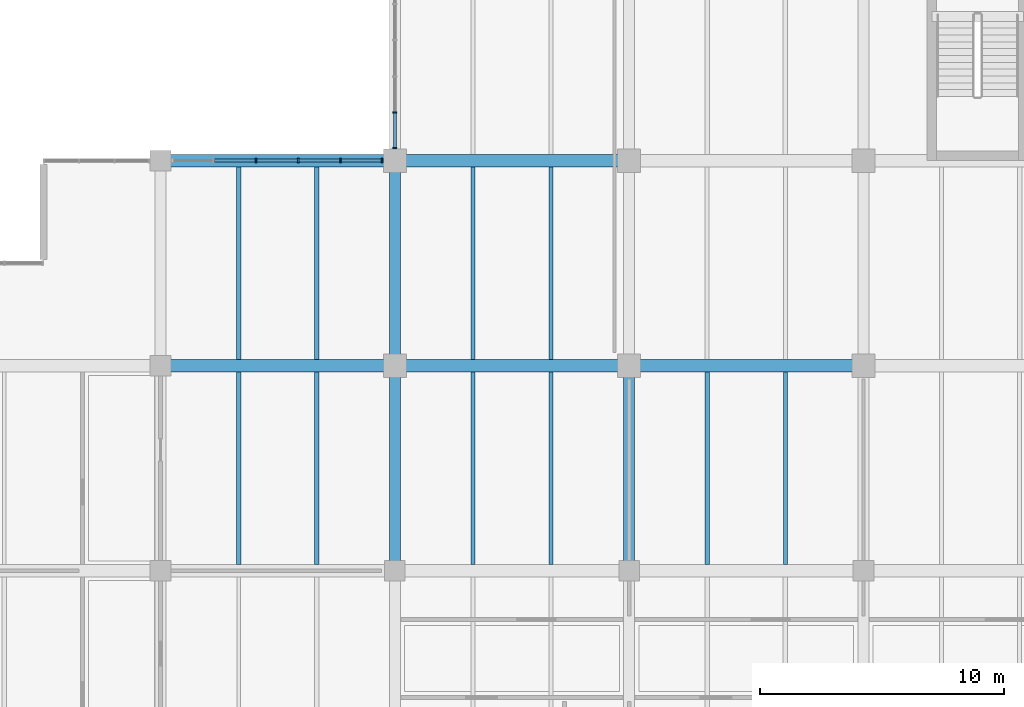
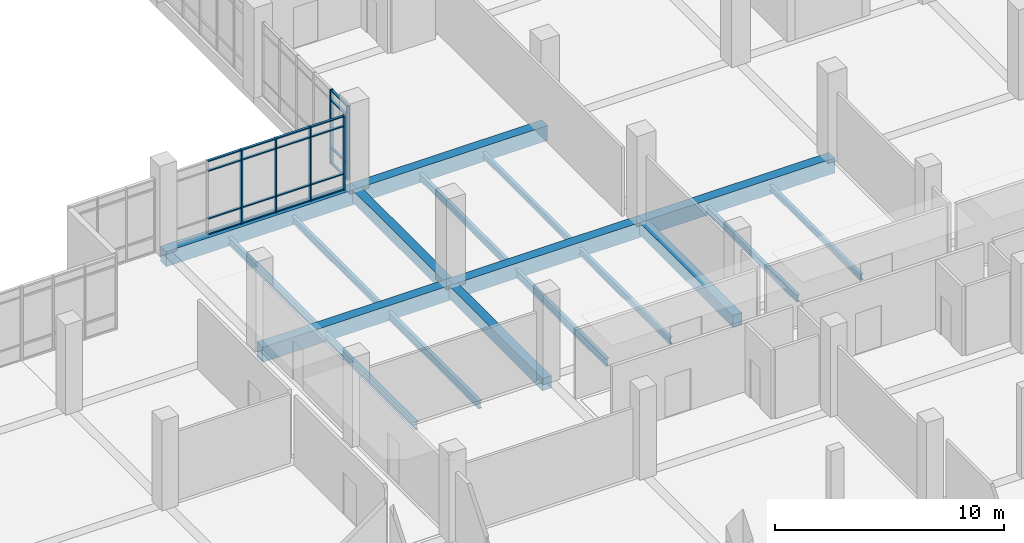
# One storey, part 68 of 152: 26 members, 18 beams, 2 elements without a shape of their own.
"""IFC4 building model written with IfcOpenShell, lengths in metres."""

from ifc_helpers import new_model, si_unit, direction, frame, origin, origin_2d, place, context, subcontext, project, spatial, rectangle, i_section, extrude, material, material_profile, profile_set, type_object, element, aggregate, save


model = new_model("IFC4")

# Units and contexts
model_context = context("Model", 3, precision=1e-05, world=origin(), true_north=direction((0.0, 1.0)))
body_context = subcontext(model_context, "Body", "Model", "MODEL_VIEW")
ifc_project = project(units=[si_unit("LENGTHUNIT", "METRE"), si_unit("AREAUNIT", "SQUARE_METRE"), si_unit("VOLUMEUNIT", "CUBIC_METRE"), si_unit("PLANEANGLEUNIT", "RADIAN"), si_unit("MASSUNIT", "GRAM", prefix="KILO")], contexts=[model_context])

# Site, building, storey
site_placement = place(None, origin())
site = spatial("IfcSite", under=ifc_project, at=site_placement, CompositionType="ELEMENT")
building_placement = place(site_placement, origin())
building = spatial("IfcBuilding", under=site, at=building_placement, Name="Oolite Switchyard Hospital", CompositionType="ELEMENT")
storey_placement = place(building_placement, frame((0.0, 0.0, 5.10009765625)))
storey = spatial("IfcBuildingStorey", under=building, at=storey_placement, Name="L01", CompositionType="ELEMENT", Elevation=5.10009765625)

# Beams
ifc_material_1 = material(Name="Concrete C40/50", Category="concrete")
ifc_material_profile_1 = material_profile(ifc_material_1, rectangle(XDim=0.449951171875, YDim=0.64990234375, at=origin_2d()), Name="RCB450X650")
ifc_profile_set_1 = profile_set([ifc_material_profile_1], Name="Concrete C40/50")
beam_type_1 = type_object("IfcBeamType", Name="BM-RC450X650", PredefinedType="BEAM", material=ifc_profile_set_1)
beam_1_placement = place(storey_placement, frame((134.39990234375, 92.39990234375, -0.3251953125), z_axis=(0.0, 1.0, 0.0), x_axis=(-1.0, 0.0, 0.0)))
element("IfcBeam", 1, at=beam_1_placement, inside=storey, type_object=beam_type_1, Name="L01 Y-Girder 454", PredefinedType="BEAM", context=body_context, shape_type="SweptSolid", body=[
    extrude(rectangle(XDim=0.449951171875, YDim=0.64990234375, at=origin_2d()), origin(), (0.0, 0.0, 1.0), 8.400146484375),
])
beam_2_placement = place(storey_placement, frame((134.39990234375, 100.800048828125, -0.3251953125), z_axis=(0.0, 1.0, 0.0), x_axis=(-1.0, 0.0, 0.0)))
element("IfcBeam", 2, at=beam_2_placement, inside=storey, type_object=beam_type_1, Name="L01 Y-Girder 455", PredefinedType="BEAM", context=body_context, shape_type="SweptSolid", body=[
    extrude(rectangle(XDim=0.449951171875, YDim=0.64990234375, at=origin_2d()), origin(), (0.0, 0.0, 1.0), 8.39990234375),
])
beam_3_placement = place(storey_placement, frame((144.0, 92.39990234375, -0.3251953125), z_axis=(0.0, 1.0, 0.0), x_axis=(-1.0, 0.0, 0.0)))
element("IfcBeam", 3, at=beam_3_placement, inside=storey, type_object=beam_type_1, Name="L01 Y-Girder 469", PredefinedType="BEAM", context=body_context, shape_type="SweptSolid", body=[
    extrude(rectangle(XDim=0.449951171875, YDim=0.64990234375, at=origin_2d()), origin(), (0.0, 0.0, 1.0), 8.400146484375),
])
ifc_material_profile_2 = material_profile(ifc_material_1, rectangle(XDim=0.5, YDim=0.800048828125, at=origin_2d()), Name="RCB500X800")
ifc_profile_set_2 = profile_set([ifc_material_profile_2], Name="Concrete C40/50")
beam_type_2 = type_object("IfcBeamType", Name="BM-RC500X800", PredefinedType="BEAM", material=ifc_profile_set_2)
beam_4_placement = place(storey_placement, frame((124.800048828125, 100.800048828125, -0.400146484375), z_axis=(1.0, 0.0, 0.0), x_axis=(0.0, 1.0, 0.0)))
element("IfcBeam", 4, at=beam_4_placement, inside=storey, type_object=beam_type_2, Name="L01 X-Girder 210", PredefinedType="BEAM", context=body_context, shape_type="SweptSolid", body=[
    extrude(rectangle(XDim=0.5, YDim=0.800048828125, at=origin_2d()), origin(), (0.0, 0.0, 1.0), 9.599853515625),
])
for number, where, z_axis, x_axis, name in (
    (5, (134.39990234375, 100.800048828125, -0.400146484375), (1.0, 0.0, 0.0), (0.0, 1.0, 0.0), "L01 X-Girder 211"),
    (6, (144.0, 100.800048828125, -0.400146484375), (1.0, 0.0, 0.0), (0.0, 1.0, 0.0), "L01 X-Girder 212"),
):
    element("IfcBeam", number, at=place(storey_placement, frame(where, z_axis=z_axis, x_axis=x_axis)), inside=storey, type_object=beam_type_2, Name=name, PredefinedType="BEAM", context=body_context, shape_type="SweptSolid", body=[
        extrude(rectangle(XDim=0.5, YDim=0.800048828125, at=origin_2d()), origin(), (0.0, 0.0, 1.0), 9.60009765625),
    ])
beam_5_placement = place(storey_placement, frame((124.800048828125, 109.199951171875, -0.400146484375), z_axis=(1.0, 0.0, 0.0), x_axis=(0.0, 1.0, 0.0)))
element("IfcBeam", 7, at=beam_5_placement, inside=storey, type_object=beam_type_2, Name="L01 X-Girder 230", PredefinedType="BEAM", context=body_context, shape_type="SweptSolid", body=[
    extrude(rectangle(XDim=0.5, YDim=0.800048828125, at=origin_2d()), origin(), (0.0, 0.0, 1.0), 9.599853515625),
])
beam_6_placement = place(storey_placement, frame((134.39990234375, 109.199951171875, -0.400146484375), z_axis=(1.0, 0.0, 0.0), x_axis=(0.0, 1.0, 0.0)))
element("IfcBeam", 8, at=beam_6_placement, inside=storey, type_object=beam_type_2, Name="L01 X-Girder 231", PredefinedType="BEAM", context=body_context, shape_type="SweptSolid", body=[
    extrude(rectangle(XDim=0.5, YDim=0.800048828125, at=origin_2d()), origin(), (0.0, 0.0, 1.0), 9.60009765625),
])
ifc_material_2 = material(Name="Steel ASTM A992 Grade 50", Category="steel")
ifc_material_profile_3 = material_profile(ifc_material_2, i_section(OverallWidth=0.1650390625, OverallDepth=0.31005859375, WebThickness=0.006103515625, FlangeThickness=0.010009765625, at=origin_2d()), Name="W12X26")
ifc_profile_set_3 = profile_set([ifc_material_profile_3], Name="Steel ASTM A992 Grade 50")
beam_type_3 = type_object("IfcBeamType", Name="BM-W12X26", PredefinedType="JOIST", material=ifc_profile_set_3)
beam_7_placement = place(storey_placement, frame((140.800048828125, 101.050048828125, -0.43017578125), z_axis=(0.0, 1.0, 0.0), x_axis=(-1.0, 0.0, 0.0)))
element("IfcBeam", 9, at=beam_7_placement, inside=storey, type_object=beam_type_3, Name="L01 Secondary Steel Joist 845", PredefinedType="JOIST", context=body_context, shape_type="SweptSolid", body=[
    extrude(i_section(OverallWidth=0.1650390625, OverallDepth=0.31005859375, WebThickness=0.006103515625, FlangeThickness=0.010009765625, at=origin_2d()), origin(), (0.0, 0.0, 1.0), 7.89990234375),
])
beam_8_placement = place(storey_placement, frame((150.39990234375, 92.64990234375, -0.43017578125), z_axis=(0.0, 1.0, 0.0), x_axis=(-1.0, 0.0, 0.0)))
element("IfcBeam", 10, at=beam_8_placement, inside=storey, type_object=beam_type_3, Name="L01 Secondary Steel Joist 863", PredefinedType="JOIST", context=body_context, shape_type="SweptSolid", body=[
    extrude(i_section(OverallWidth=0.1650390625, OverallDepth=0.31005859375, WebThickness=0.006103515625, FlangeThickness=0.010009765625, at=origin_2d()), origin(), (0.0, 0.0, 1.0), 7.900146484375),
])
ifc_material_profile_4 = material_profile(ifc_material_2, i_section(OverallWidth=0.1708984375, OverallDepth=0.35107421875, WebThickness=0.007080078125, FlangeThickness=0.010009765625, at=origin_2d()), Name="W14X30")
ifc_profile_set_4 = profile_set([ifc_material_profile_4], Name="Steel ASTM A992 Grade 50")
beam_type_4 = type_object("IfcBeamType", Name="BM-W14X30", PredefinedType="JOIST", material=ifc_profile_set_4)
beam_9_placement = place(storey_placement, frame((131.199951171875, 101.050048828125, -0.47607421875), z_axis=(0.0, 1.0, 0.0), x_axis=(-1.0, 0.0, 0.0)))
element("IfcBeam", 11, at=beam_9_placement, inside=storey, type_object=beam_type_4, Name="L01 Secondary Steel Joist 821", PredefinedType="JOIST", context=body_context, shape_type="SweptSolid", body=[
    extrude(i_section(OverallWidth=0.1708984375, OverallDepth=0.35107421875, WebThickness=0.007080078125, FlangeThickness=0.010009765625, at=origin_2d()), origin(), (0.0, 0.0, 1.0), 7.89990234375),
])
beam_10_placement = place(storey_placement, frame((140.800048828125, 92.64990234375, -0.4501953125), z_axis=(0.0, 1.0, 0.0), x_axis=(-1.0, 0.0, 0.0)))
element("IfcBeam", 12, at=beam_10_placement, inside=storey, type_object=beam_type_4, Name="L01 Secondary Steel Joist 843", PredefinedType="JOIST", context=body_context, shape_type="SweptSolid", body=[
    extrude(i_section(OverallWidth=0.1708984375, OverallDepth=0.35107421875, WebThickness=0.007080078125, FlangeThickness=0.010009765625, at=origin_2d()), origin(), (0.0, 0.0, 1.0), 7.900146484375),
])
beam_11_placement = place(storey_placement, frame((137.60009765625, 101.050048828125, -0.4501953125), z_axis=(0.0, 1.0, 0.0), x_axis=(-1.0, 0.0, 0.0)))
element("IfcBeam", 13, at=beam_11_placement, inside=storey, type_object=beam_type_4, Name="L01 Secondary Steel Joist 844", PredefinedType="JOIST", context=body_context, shape_type="SweptSolid", body=[
    extrude(i_section(OverallWidth=0.1708984375, OverallDepth=0.35107421875, WebThickness=0.007080078125, FlangeThickness=0.010009765625, at=origin_2d()), origin(), (0.0, 0.0, 1.0), 7.89990234375),
])
beam_12_placement = place(storey_placement, frame((147.199951171875, 92.64990234375, -0.4501953125), z_axis=(0.0, 1.0, 0.0), x_axis=(-1.0, 0.0, 0.0)))
element("IfcBeam", 14, at=beam_12_placement, inside=storey, type_object=beam_type_4, Name="L01 Secondary Steel Joist 862", PredefinedType="JOIST", context=body_context, shape_type="SweptSolid", body=[
    extrude(i_section(OverallWidth=0.1708984375, OverallDepth=0.35107421875, WebThickness=0.007080078125, FlangeThickness=0.010009765625, at=origin_2d()), origin(), (0.0, 0.0, 1.0), 7.900146484375),
])
ifc_material_profile_5 = material_profile(ifc_material_2, i_section(OverallWidth=0.177978515625, OverallDepth=0.403076171875, WebThickness=0.008056640625, FlangeThickness=0.010986328125, at=origin_2d()), Name="W16X36")
ifc_profile_set_5 = profile_set([ifc_material_profile_5], Name="Steel ASTM A992 Grade 50")
beam_type_5 = type_object("IfcBeamType", Name="BM-W16X36", PredefinedType="JOIST", material=ifc_profile_set_5)
beam_13_placement = place(storey_placement, frame((131.199951171875, 92.64990234375, -0.502197265625), z_axis=(0.0, 1.0, 0.0), x_axis=(-1.0, 0.0, 0.0)))
element("IfcBeam", 15, at=beam_13_placement, inside=storey, type_object=beam_type_5, Name="L01 Secondary Steel Joist 819", PredefinedType="JOIST", context=body_context, shape_type="SweptSolid", body=[
    extrude(i_section(OverallWidth=0.177978515625, OverallDepth=0.403076171875, WebThickness=0.008056640625, FlangeThickness=0.010986328125, at=origin_2d()), origin(), (0.0, 0.0, 1.0), 7.900146484375),
])
beam_14_placement = place(storey_placement, frame((128.0, 101.050048828125, -0.502197265625), z_axis=(0.0, 1.0, 0.0), x_axis=(-1.0, 0.0, 0.0)))
element("IfcBeam", 16, at=beam_14_placement, inside=storey, type_object=beam_type_5, Name="L01 Secondary Steel Joist 820", PredefinedType="JOIST", context=body_context, shape_type="SweptSolid", body=[
    extrude(i_section(OverallWidth=0.177978515625, OverallDepth=0.403076171875, WebThickness=0.008056640625, FlangeThickness=0.010986328125, at=origin_2d()), origin(), (0.0, 0.0, 1.0), 7.89990234375),
])
beam_15_placement = place(storey_placement, frame((137.60009765625, 92.64990234375, -0.47705078125), z_axis=(0.0, 1.0, 0.0), x_axis=(-1.0, 0.0, 0.0)))
element("IfcBeam", 17, at=beam_15_placement, inside=storey, type_object=beam_type_5, Name="L01 Secondary Steel Joist 842", PredefinedType="JOIST", context=body_context, shape_type="SweptSolid", body=[
    extrude(i_section(OverallWidth=0.177978515625, OverallDepth=0.403076171875, WebThickness=0.008056640625, FlangeThickness=0.010986328125, at=origin_2d()), origin(), (0.0, 0.0, 1.0), 7.900146484375),
])
ifc_material_profile_6 = material_profile(ifc_material_2, i_section(OverallWidth=0.179931640625, OverallDepth=0.4130859375, WebThickness=0.010009765625, FlangeThickness=0.01611328125, at=origin_2d()), Name="W16X50")
ifc_profile_set_6 = profile_set([ifc_material_profile_6], Name="Steel ASTM A992 Grade 50")
beam_type_6 = type_object("IfcBeamType", Name="BM-W16X50", PredefinedType="JOIST", material=ifc_profile_set_6)
beam_16_placement = place(storey_placement, frame((128.0, 92.64990234375, -0.506103515625), z_axis=(0.0, 1.0, 0.0), x_axis=(-1.0, 0.0, 0.0)))
element("IfcBeam", 18, at=beam_16_placement, inside=storey, type_object=beam_type_6, Name="L01 Secondary Steel Joist 818", PredefinedType="JOIST", context=body_context, shape_type="SweptSolid", body=[
    extrude(i_section(OverallWidth=0.179931640625, OverallDepth=0.4130859375, WebThickness=0.010009765625, FlangeThickness=0.01611328125, at=origin_2d()), origin(), (0.0, 0.0, 1.0), 7.900146484375),
])

# Curtain wall, members
ifc_material_3 = material(Name="Thermally broken aluminum frame with laminated impact glazing", Category="aluminium")
curtain_wall_type_1 = type_object("IfcCurtainWallType", Name="CW-UNIT-84X48", PredefinedType="USERDEFINED", material=ifc_material_3)
curtain_wall_1_placement = place(storey_placement, origin())
curtain_wall_1 = element("IfcCurtainWall", 19, at=curtain_wall_1_placement, inside=storey, type_object=curtain_wall_type_1, Name="L01 Unitised Curtain Wall 188", ObjectType="UNITISED", PredefinedType="USERDEFINED")
ifc_material_4 = material(Name="Aluminium 6063-T6", Category="aluminium")
ifc_material_profile_7 = material_profile(ifc_material_4, rectangle(XDim=0.159912109375, YDim=0.06005859375, at=origin_2d()), Name="CWM60X160")
ifc_profile_set_7 = profile_set([ifc_material_profile_7], Name="Aluminium 6063-T6")
member_type_1 = type_object("IfcMemberType", Name="CW-MUL-180", PredefinedType="MULLION", material=ifc_profile_set_7)
member_1_placement = place(storey_placement, frame((134.39990234375, 109.719970703125, 0.0), z_axis=(0.0, 0.0, 1.0), x_axis=(-1.0, 0.0, 0.0)))
member_1 = element("IfcMember", 20, at=member_1_placement, type_object=member_type_1, Name="CW-07 mullion 1", PredefinedType="MULLION", context=body_context, shape_type="SweptSolid", body=[
    extrude(rectangle(XDim=0.159912109375, YDim=0.06005859375, at=origin_2d()), origin(), (0.0, 0.0, 1.0), 3.93994140625),
])
member_2_placement = place(storey_placement, frame((134.39990234375, 111.174072265625, 0.0), z_axis=(0.0, 0.0, 1.0), x_axis=(-1.0, 0.0, 0.0)))
member_2 = element("IfcMember", 21, at=member_2_placement, type_object=member_type_1, Name="CW-07 mullion 2", PredefinedType="MULLION", context=body_context, shape_type="SweptSolid", body=[
    extrude(rectangle(XDim=0.159912109375, YDim=0.06005859375, at=origin_2d()), origin(), (0.0, 0.0, 1.0), 3.93994140625),
])

curtain_wall_type_2 = type_object("IfcCurtainWallType", Name="CW-UNIT-96X48", PredefinedType="USERDEFINED", material=ifc_material_3)
curtain_wall_2_placement = place(storey_placement, origin())
curtain_wall_2 = element("IfcCurtainWall", 22, at=curtain_wall_2_placement, inside=storey, type_object=curtain_wall_type_2, Name="L01 Unitised Curtain Wall 150", ObjectType="UNITISED", PredefinedType="USERDEFINED")
ifc_material_profile_8 = material_profile(ifc_material_4, rectangle(XDim=0.179931640625, YDim=0.070068359375, at=origin_2d()), Name="CWM70X180")
ifc_profile_set_8 = profile_set([ifc_material_profile_8], Name="Aluminium 6063-T6")
member_type_2 = type_object("IfcMemberType", Name="CW-MUL-220", PredefinedType="MULLION", material=ifc_profile_set_8)
member_3_placement = place(storey_placement, frame((128.7080078125, 109.199951171875, 0.0), z_axis=(0.0, 0.0, 1.0), x_axis=(0.0, 1.0, 0.0)))
member_3 = element("IfcMember", 23, at=member_3_placement, type_object=member_type_2, Name="CW-02 mullion 3", PredefinedType="MULLION", context=body_context, shape_type="SweptSolid", body=[
    extrude(rectangle(XDim=0.179931640625, YDim=0.070068359375, at=origin_2d()), origin(), (0.0, 0.0, 1.0), 3.93994140625),
])
member_4_placement = place(storey_placement, frame((130.44189453125, 109.199951171875, 0.0), z_axis=(0.0, 0.0, 1.0), x_axis=(0.0, 1.0, 0.0)))
member_4 = element("IfcMember", 24, at=member_4_placement, type_object=member_type_2, Name="CW-02 mullion 4", PredefinedType="MULLION", context=body_context, shape_type="SweptSolid", body=[
    extrude(rectangle(XDim=0.179931640625, YDim=0.070068359375, at=origin_2d()), origin(), (0.0, 0.0, 1.0), 3.93994140625),
])
member_5_placement = place(storey_placement, frame((132.176025390625, 109.199951171875, 0.0), z_axis=(0.0, 0.0, 1.0), x_axis=(0.0, 1.0, 0.0)))
member_5 = element("IfcMember", 25, at=member_5_placement, type_object=member_type_2, Name="CW-02 mullion 5", PredefinedType="MULLION", context=body_context, shape_type="SweptSolid", body=[
    extrude(rectangle(XDim=0.179931640625, YDim=0.070068359375, at=origin_2d()), origin(), (0.0, 0.0, 1.0), 3.93994140625),
])
member_6_placement = place(storey_placement, frame((133.875, 109.199951171875, 0.0), z_axis=(0.0, 0.0, 1.0), x_axis=(0.0, 1.0, 0.0)))
member_6 = element("IfcMember", 26, at=member_6_placement, type_object=member_type_2, Name="CW-02 mullion 6", PredefinedType="MULLION", context=body_context, shape_type="SweptSolid", body=[
    extrude(rectangle(XDim=0.179931640625, YDim=0.070068359375, at=origin_2d()), origin(), (0.0, 0.0, 1.0), 3.93994140625),
])
ifc_material_profile_9 = material_profile(ifc_material_4, rectangle(XDim=0.1201171875, YDim=0.06005859375, at=origin_2d()), Name="CWT60X120")
ifc_profile_set_9 = profile_set([ifc_material_profile_9], Name="Aluminium 6063-T6")
member_type_3 = type_object("IfcMemberType", Name="CW-TRN-150", PredefinedType="USERDEFINED", material=ifc_profile_set_9)
member_7_placement = place(storey_placement, frame((127.009033203125, 109.199951171875, 0.02978515625), z_axis=(1.0, 0.0, 0.0), x_axis=(0.0, 1.0, 0.0)))
member_7 = element("IfcMember", 27, at=member_7_placement, type_object=member_type_3, Name="CW-02 transom 2.1", ObjectType="TRANSOM", PredefinedType="USERDEFINED", context=body_context, shape_type="SweptSolid", body=[
    extrude(rectangle(XDim=0.1201171875, YDim=0.06005859375, at=origin_2d()), origin(), (0.0, 0.0, 1.0), 1.6640625),
])
member_8_placement = place(storey_placement, frame((127.009033203125, 109.199951171875, 0.849853515625), z_axis=(1.0, 0.0, 0.0), x_axis=(0.0, 1.0, 0.0)))
member_8 = element("IfcMember", 28, at=member_8_placement, type_object=member_type_3, Name="CW-02 transom 2.2", ObjectType="TRANSOM", PredefinedType="USERDEFINED", context=body_context, shape_type="SweptSolid", body=[
    extrude(rectangle(XDim=0.1201171875, YDim=0.06005859375, at=origin_2d()), origin(), (0.0, 0.0, 1.0), 1.6640625),
])
member_9_placement = place(storey_placement, frame((127.009033203125, 109.199951171875, 3.389892578125), z_axis=(1.0, 0.0, 0.0), x_axis=(0.0, 1.0, 0.0)))
member_9 = element("IfcMember", 29, at=member_9_placement, type_object=member_type_3, Name="CW-02 transom 2.3", ObjectType="TRANSOM", PredefinedType="USERDEFINED", context=body_context, shape_type="SweptSolid", body=[
    extrude(rectangle(XDim=0.1201171875, YDim=0.06005859375, at=origin_2d()), origin(), (0.0, 0.0, 1.0), 1.6640625),
])
member_10_placement = place(storey_placement, frame((127.009033203125, 109.199951171875, 3.909912109375), z_axis=(1.0, 0.0, 0.0), x_axis=(0.0, 1.0, 0.0)))
member_10 = element("IfcMember", 30, at=member_10_placement, type_object=member_type_3, Name="CW-02 transom 2.4", ObjectType="TRANSOM", PredefinedType="USERDEFINED", context=body_context, shape_type="SweptSolid", body=[
    extrude(rectangle(XDim=0.1201171875, YDim=0.06005859375, at=origin_2d()), origin(), (0.0, 0.0, 1.0), 1.6640625),
])
member_11_placement = place(storey_placement, frame((128.742919921875, 109.199951171875, 0.02978515625), z_axis=(1.0, 0.0, 0.0), x_axis=(0.0, 1.0, 0.0)))
member_11 = element("IfcMember", 31, at=member_11_placement, type_object=member_type_3, Name="CW-02 transom 3.1", ObjectType="TRANSOM", PredefinedType="USERDEFINED", context=body_context, shape_type="SweptSolid", body=[
    extrude(rectangle(XDim=0.1201171875, YDim=0.06005859375, at=origin_2d()), origin(), (0.0, 0.0, 1.0), 1.6640625),
])
member_12_placement = place(storey_placement, frame((128.742919921875, 109.199951171875, 0.849853515625), z_axis=(1.0, 0.0, 0.0), x_axis=(0.0, 1.0, 0.0)))
member_12 = element("IfcMember", 32, at=member_12_placement, type_object=member_type_3, Name="CW-02 transom 3.2", ObjectType="TRANSOM", PredefinedType="USERDEFINED", context=body_context, shape_type="SweptSolid", body=[
    extrude(rectangle(XDim=0.1201171875, YDim=0.06005859375, at=origin_2d()), origin(), (0.0, 0.0, 1.0), 1.6640625),
])
member_13_placement = place(storey_placement, frame((128.742919921875, 109.199951171875, 3.389892578125), z_axis=(1.0, 0.0, 0.0), x_axis=(0.0, 1.0, 0.0)))
member_13 = element("IfcMember", 33, at=member_13_placement, type_object=member_type_3, Name="CW-02 transom 3.3", ObjectType="TRANSOM", PredefinedType="USERDEFINED", context=body_context, shape_type="SweptSolid", body=[
    extrude(rectangle(XDim=0.1201171875, YDim=0.06005859375, at=origin_2d()), origin(), (0.0, 0.0, 1.0), 1.6640625),
])
member_14_placement = place(storey_placement, frame((128.742919921875, 109.199951171875, 3.909912109375), z_axis=(1.0, 0.0, 0.0), x_axis=(0.0, 1.0, 0.0)))
member_14 = element("IfcMember", 34, at=member_14_placement, type_object=member_type_3, Name="CW-02 transom 3.4", ObjectType="TRANSOM", PredefinedType="USERDEFINED", context=body_context, shape_type="SweptSolid", body=[
    extrude(rectangle(XDim=0.1201171875, YDim=0.06005859375, at=origin_2d()), origin(), (0.0, 0.0, 1.0), 1.6640625),
])
member_15_placement = place(storey_placement, frame((130.47705078125, 109.199951171875, 0.02978515625), z_axis=(1.0, 0.0, 0.0), x_axis=(0.0, 1.0, 0.0)))
member_15 = element("IfcMember", 35, at=member_15_placement, type_object=member_type_3, Name="CW-02 transom 4.1", ObjectType="TRANSOM", PredefinedType="USERDEFINED", context=body_context, shape_type="SweptSolid", body=[
    extrude(rectangle(XDim=0.1201171875, YDim=0.06005859375, at=origin_2d()), origin(), (0.0, 0.0, 1.0), 1.6640625),
])
member_16_placement = place(storey_placement, frame((130.47705078125, 109.199951171875, 0.849853515625), z_axis=(1.0, 0.0, 0.0), x_axis=(0.0, 1.0, 0.0)))
member_16 = element("IfcMember", 36, at=member_16_placement, type_object=member_type_3, Name="CW-02 transom 4.2", ObjectType="TRANSOM", PredefinedType="USERDEFINED", context=body_context, shape_type="SweptSolid", body=[
    extrude(rectangle(XDim=0.1201171875, YDim=0.06005859375, at=origin_2d()), origin(), (0.0, 0.0, 1.0), 1.6640625),
])
member_17_placement = place(storey_placement, frame((130.47705078125, 109.199951171875, 3.389892578125), z_axis=(1.0, 0.0, 0.0), x_axis=(0.0, 1.0, 0.0)))
member_17 = element("IfcMember", 37, at=member_17_placement, type_object=member_type_3, Name="CW-02 transom 4.3", ObjectType="TRANSOM", PredefinedType="USERDEFINED", context=body_context, shape_type="SweptSolid", body=[
    extrude(rectangle(XDim=0.1201171875, YDim=0.06005859375, at=origin_2d()), origin(), (0.0, 0.0, 1.0), 1.6640625),
])
member_18_placement = place(storey_placement, frame((130.47705078125, 109.199951171875, 3.909912109375), z_axis=(1.0, 0.0, 0.0), x_axis=(0.0, 1.0, 0.0)))
member_18 = element("IfcMember", 38, at=member_18_placement, type_object=member_type_3, Name="CW-02 transom 4.4", ObjectType="TRANSOM", PredefinedType="USERDEFINED", context=body_context, shape_type="SweptSolid", body=[
    extrude(rectangle(XDim=0.1201171875, YDim=0.06005859375, at=origin_2d()), origin(), (0.0, 0.0, 1.0), 1.6640625),
])
member_19_placement = place(storey_placement, frame((132.2109375, 109.199951171875, 0.02978515625), z_axis=(1.0, 0.0, 0.0), x_axis=(0.0, 1.0, 0.0)))
member_19 = element("IfcMember", 39, at=member_19_placement, type_object=member_type_3, Name="CW-02 transom 5.1", ObjectType="TRANSOM", PredefinedType="USERDEFINED", context=body_context, shape_type="SweptSolid", body=[
    extrude(rectangle(XDim=0.1201171875, YDim=0.06005859375, at=origin_2d()), origin(), (0.0, 0.0, 1.0), 1.629150390625),
])
member_20_placement = place(storey_placement, frame((132.2109375, 109.199951171875, 0.849853515625), z_axis=(1.0, 0.0, 0.0), x_axis=(0.0, 1.0, 0.0)))
member_20 = element("IfcMember", 40, at=member_20_placement, type_object=member_type_3, Name="CW-02 transom 5.2", ObjectType="TRANSOM", PredefinedType="USERDEFINED", context=body_context, shape_type="SweptSolid", body=[
    extrude(rectangle(XDim=0.1201171875, YDim=0.06005859375, at=origin_2d()), origin(), (0.0, 0.0, 1.0), 1.629150390625),
])
member_21_placement = place(storey_placement, frame((132.2109375, 109.199951171875, 3.389892578125), z_axis=(1.0, 0.0, 0.0), x_axis=(0.0, 1.0, 0.0)))
member_21 = element("IfcMember", 41, at=member_21_placement, type_object=member_type_3, Name="CW-02 transom 5.3", ObjectType="TRANSOM", PredefinedType="USERDEFINED", context=body_context, shape_type="SweptSolid", body=[
    extrude(rectangle(XDim=0.1201171875, YDim=0.06005859375, at=origin_2d()), origin(), (0.0, 0.0, 1.0), 1.629150390625),
])
member_22_placement = place(storey_placement, frame((132.2109375, 109.199951171875, 3.909912109375), z_axis=(1.0, 0.0, 0.0), x_axis=(0.0, 1.0, 0.0)))
member_22 = element("IfcMember", 42, at=member_22_placement, type_object=member_type_3, Name="CW-02 transom 5.4", ObjectType="TRANSOM", PredefinedType="USERDEFINED", context=body_context, shape_type="SweptSolid", body=[
    extrude(rectangle(XDim=0.1201171875, YDim=0.06005859375, at=origin_2d()), origin(), (0.0, 0.0, 1.0), 1.629150390625),
])
aggregate(curtain_wall_2, [member_3, member_4, member_5, member_6, member_7, member_8, member_9, member_10, member_11, member_12, member_13, member_14, member_15, member_16, member_17, member_18, member_19, member_20, member_21, member_22])

# Member
member_23_placement = place(storey_placement, frame((134.39990234375, 109.75, 0.02978515625), z_axis=(0.0, 1.0, 0.0), x_axis=(-1.0, 0.0, 0.0)))
member_23 = element("IfcMember", 43, at=member_23_placement, type_object=member_type_3, Name="CW-07 transom 1.1", ObjectType="TRANSOM", PredefinedType="USERDEFINED", context=body_context, shape_type="SweptSolid", body=[
    extrude(rectangle(XDim=0.1201171875, YDim=0.06005859375, at=origin_2d()), origin(), (0.0, 0.0, 1.0), 1.39404296875),
])

member_24_placement = place(storey_placement, frame((134.39990234375, 109.75, 0.849853515625), z_axis=(0.0, 1.0, 0.0), x_axis=(-1.0, 0.0, 0.0)))
member_24 = element("IfcMember", 44, at=member_24_placement, type_object=member_type_3, Name="CW-07 transom 1.2", ObjectType="TRANSOM", PredefinedType="USERDEFINED", context=body_context, shape_type="SweptSolid", body=[
    extrude(rectangle(XDim=0.1201171875, YDim=0.06005859375, at=origin_2d()), origin(), (0.0, 0.0, 1.0), 1.39404296875),
])

member_25_placement = place(storey_placement, frame((134.39990234375, 109.75, 3.389892578125), z_axis=(0.0, 1.0, 0.0), x_axis=(-1.0, 0.0, 0.0)))
member_25 = element("IfcMember", 45, at=member_25_placement, type_object=member_type_3, Name="CW-07 transom 1.3", ObjectType="TRANSOM", PredefinedType="USERDEFINED", context=body_context, shape_type="SweptSolid", body=[
    extrude(rectangle(XDim=0.1201171875, YDim=0.06005859375, at=origin_2d()), origin(), (0.0, 0.0, 1.0), 1.39404296875),
])

member_26_placement = place(storey_placement, frame((134.39990234375, 109.75, 3.909912109375), z_axis=(0.0, 1.0, 0.0), x_axis=(-1.0, 0.0, 0.0)))
member_26 = element("IfcMember", 46, at=member_26_placement, type_object=member_type_3, Name="CW-07 transom 1.4", ObjectType="TRANSOM", PredefinedType="USERDEFINED", context=body_context, shape_type="SweptSolid", body=[
    extrude(rectangle(XDim=0.1201171875, YDim=0.06005859375, at=origin_2d()), origin(), (0.0, 0.0, 1.0), 1.39404296875),
])

aggregate(curtain_wall_1, [member_1, member_2, member_23, member_24, member_25, member_26])

save(model, "model.ifc")
